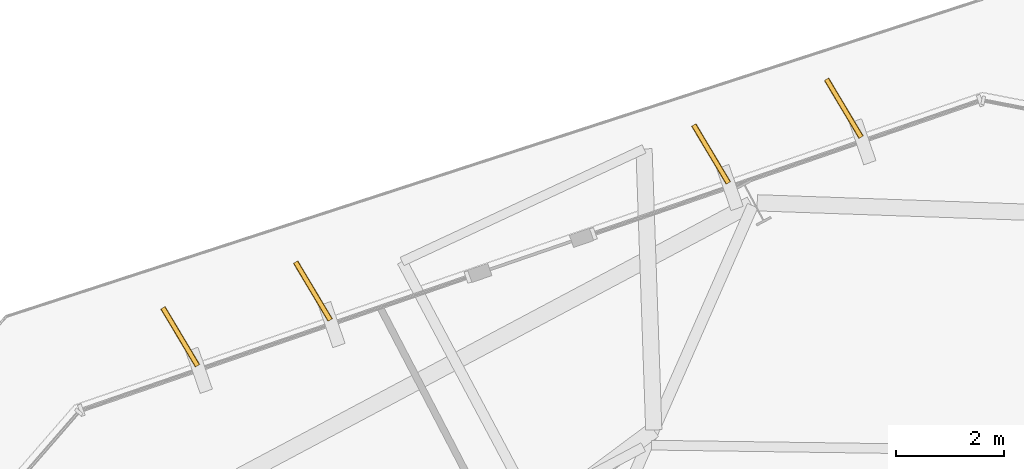
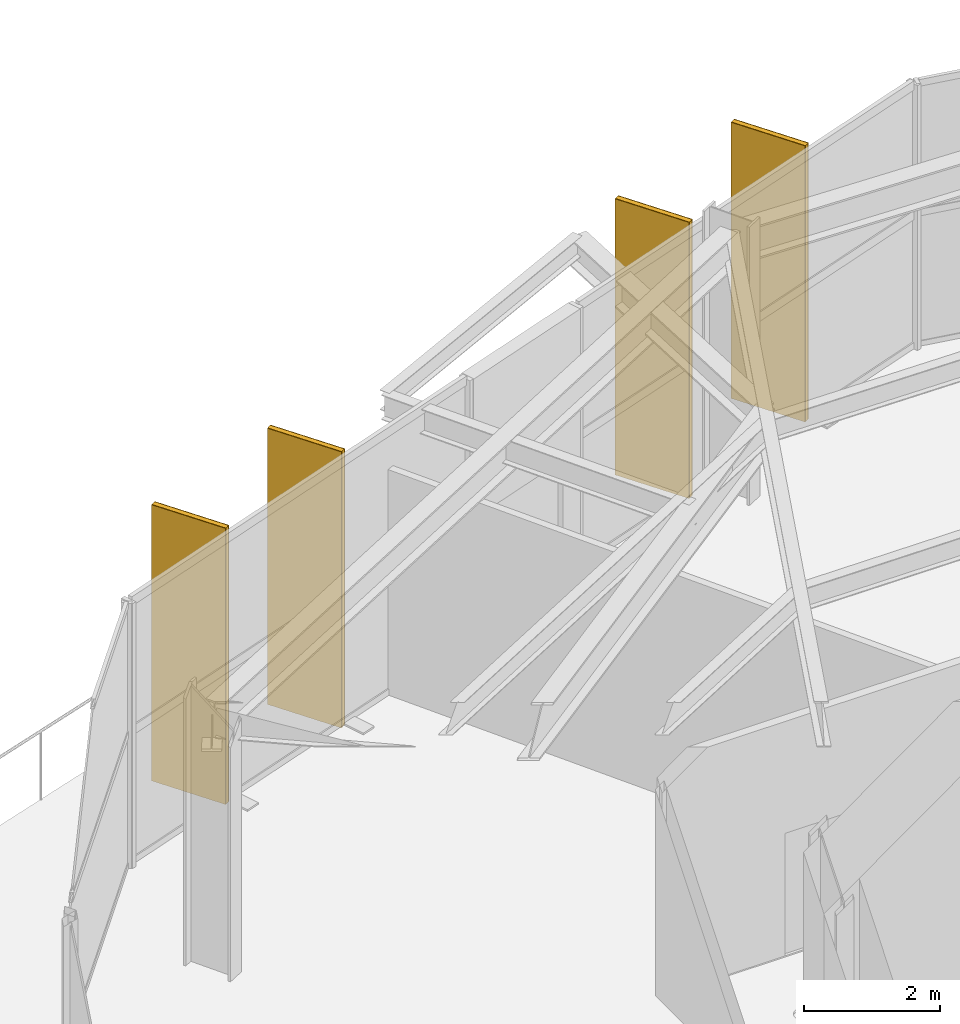
# One storey, part 16 of 16: 4 coverings, 4 shading devices.
"""IFC4 building model written with IfcOpenShell, lengths in metres."""

from ifc_helpers import new_model, si_unit, direction, frame, origin, origin_2d, place, context, subcontext, project, spatial, rectangle, extrude, material, layer, layer_set, type_object, element, save


model = new_model("IFC4")

# Units and contexts
model_context = context("Model", 3, precision=1e-05, world=origin(), true_north=direction((0.0, 1.0)))
body_context = subcontext(model_context, "Body", "Model", "MODEL_VIEW")
ifc_project = project(units=[si_unit("LENGTHUNIT", "METRE"), si_unit("AREAUNIT", "SQUARE_METRE"), si_unit("VOLUMEUNIT", "CUBIC_METRE"), si_unit("PLANEANGLEUNIT", "RADIAN"), si_unit("MASSUNIT", "GRAM", prefix="KILO")], contexts=[model_context])

# Site, building, storey
site_placement = place(None, origin())
site = spatial("IfcSite", under=ifc_project, at=site_placement, CompositionType="ELEMENT")
building_placement = place(site_placement, origin())
building = spatial("IfcBuilding", under=site, at=building_placement, Name="Kranzbogen Civic Tower", CompositionType="ELEMENT")
storey_placement = place(building_placement, frame((0.0, 0.0, 97.39990234375)))
storey = spatial("IfcBuildingStorey", under=building, at=storey_placement, Name="L23", CompositionType="ELEMENT", Elevation=97.39990234375)

# Coverings
ifc_material_1 = material(Name="Pale Anodised Aluminium", Category="aluminium")
ifc_layer = layer(ifc_material_1, 0.02490234375, Name="Pale Anodised Aluminium")
ifc_layer_set = layer_set([ifc_layer], Name="Pale Anodised Aluminium")
covering_type = type_object("IfcCoveringType", Name="Anodised Aluminium Vertical Fin Cladding 25 mm", PredefinedType="CLADDING", material=ifc_layer_set)
for number, where, z_axis, x_axis, name in (
    (1, (24.363037109375, 46.422119140625, -0.139892578125), (0.0, 0.0, 1.0), (-0.512582464182, 0.858638001379, 0.0), "L23 vertical fin pale-metal cladding F2-1"),
    (2, (21.904052734375, 45.574951171875, -0.139892578125), (0.0, 0.0, 1.0), (-0.512582464182, 0.858638001379, 0.0), "L23 vertical fin pale-metal cladding F2-2"),
    (3, (14.529052734375, 43.035888671875, -0.139892578125), (0.0, 0.0, 1.0), (-0.512582464182, 0.858638001379, 0.0), "L23 vertical fin pale-metal cladding F2-5"),
    (4, (12.071044921875, 42.18896484375, -0.139892578125), (0.0, 0.0, 1.0), (-0.512582464182, 0.858638001379, 0.0), "L23 vertical fin pale-metal cladding F2-6"),
):
    element("IfcCovering", number, at=place(storey_placement, frame(where, z_axis=z_axis, x_axis=x_axis)), inside=storey, type_object=covering_type, Name=name, PredefinedType="CLADDING", context=body_context, shape_type="SweptSolid", body=[
        extrude(rectangle(XDim=1.25, YDim=0.10009765625, at=origin_2d()), origin(), (0.0, 0.0, 1.0), 4.9599609375),
    ])

# Shading devices
ifc_material_2 = material(Name="Anodised Bronze Aluminium", Category="aluminium")
shading_device_type = type_object("IfcShadingDeviceType", Name="Anodised Bronze Vertical Facade Fin 1250x80", PredefinedType="USERDEFINED", material=ifc_material_2)
for number, where, z_axis, x_axis, name in (
    (5, (24.363037109375, 46.422119140625, -0.139892578125), (0.0, 0.0, 1.0), (-0.512582464182, 0.858638001379, 0.0), "L23 vertical exterior shading fin F2-1"),
    (6, (21.904052734375, 45.574951171875, -0.139892578125), (0.0, 0.0, 1.0), (-0.512582464182, 0.858638001379, 0.0), "L23 vertical exterior shading fin F2-2"),
    (7, (14.529052734375, 43.035888671875, -0.139892578125), (0.0, 0.0, 1.0), (-0.512582464182, 0.858638001379, 0.0), "L23 vertical exterior shading fin F2-5"),
    (8, (12.071044921875, 42.18896484375, -0.139892578125), (0.0, 0.0, 1.0), (-0.512582464182, 0.858638001379, 0.0), "L23 vertical exterior shading fin F2-6"),
):
    element("IfcShadingDevice", number, at=place(storey_placement, frame(where, z_axis=z_axis, x_axis=x_axis)), inside=storey, type_object=shading_device_type, Name=name, ObjectType="FIN", PredefinedType="USERDEFINED", context=body_context, shape_type="SweptSolid", body=[
        extrude(rectangle(XDim=1.25, YDim=0.080078125, at=origin_2d()), origin(), (0.0, 0.0, 1.0), 4.9599609375),
    ])

save(model, "model.ifc")
